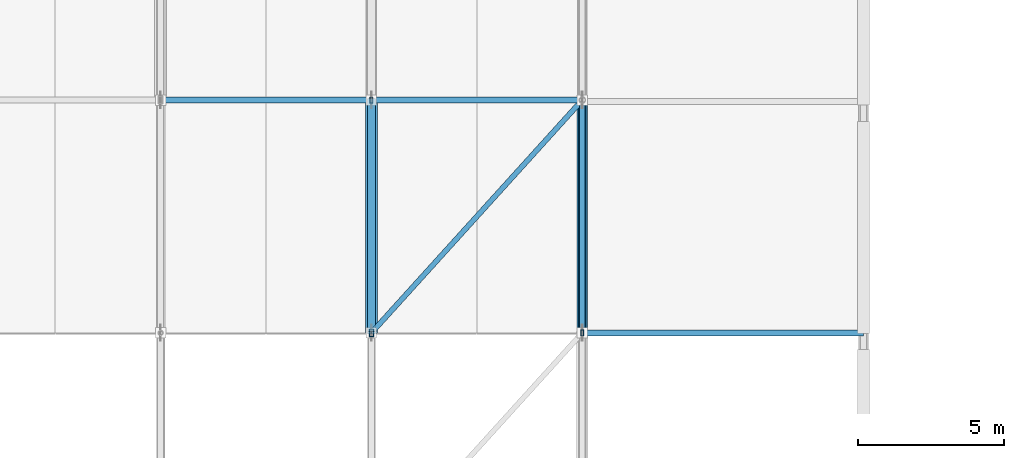
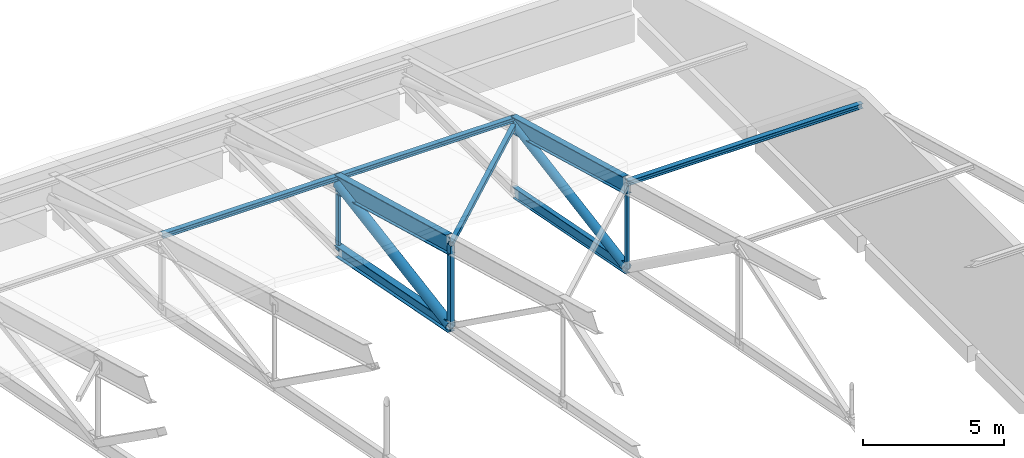
# One storey, part 23 of 53: 9 members, 4 beams.
"""IFC4 building model written with IfcOpenShell, lengths in metres."""

from ifc_helpers import new_model, si_unit, direction, frame, origin, origin_2d, place, context, subcontext, project, spatial, hollow_rectangle, hollow_circle, i_section, extrude, material, material_profile, profile_set, type_object, element, save


model = new_model("IFC4")

# Units and contexts
model_context = context("Model", 3, precision=1e-05, world=origin(), true_north=direction((0.0, 1.0)))
body_context = subcontext(model_context, "Body", "Model", "MODEL_VIEW")
ifc_project = project(units=[si_unit("LENGTHUNIT", "METRE"), si_unit("AREAUNIT", "SQUARE_METRE"), si_unit("VOLUMEUNIT", "CUBIC_METRE"), si_unit("PLANEANGLEUNIT", "RADIAN"), si_unit("MASSUNIT", "GRAM", prefix="KILO")], contexts=[model_context])

# Site, building, storey
site_placement = place(None, origin())
site = spatial("IfcSite", under=ifc_project, at=site_placement, CompositionType="ELEMENT")
building_placement = place(site_placement, origin())
building = spatial("IfcBuilding", under=site, at=building_placement, Name="Pellamere Symphony Hall", CompositionType="ELEMENT")
storey_placement = place(building_placement, frame((0.0, 0.0, 24.0)))
storey = spatial("IfcBuildingStorey", under=building, at=storey_placement, Name="L05", CompositionType="ELEMENT", Elevation=24.0)

# Beams
ifc_material = material(Name="Steel CSA G40.21 350W", Category="steel")
ifc_material_profile_1 = material_profile(ifc_material, i_section(OverallWidth=0.26806640625, OverallDepth=0.77001953125, WebThickness=0.015625, FlangeThickness=0.025390625, at=origin_2d()), Name="W760X196")
ifc_profile_set_1 = profile_set([ifc_material_profile_1], Name="Steel CSA G40.21 350W")
beam_type_1 = type_object("IfcBeamType", Name="Steel Beam SB-06 W760X196", PredefinedType="BEAM", material=ifc_profile_set_1)
beam_1_placement = place(storey_placement, frame((102.0, 77.699951171875, 5.22998046875), z_axis=(0.0, 0.964090435702, -0.265574154969), x_axis=(-1.0, 0.0, 0.0)))
element("IfcBeam", 1, at=beam_1_placement, inside=storey, type_object=beam_type_1, Name="Roof Truss TR-07 Top Chord 7", PredefinedType="BEAM", context=body_context, shape_type="SweptSolid", body=[
    extrude(i_section(OverallWidth=0.26806640625, OverallDepth=0.77001953125, WebThickness=0.015625, FlangeThickness=0.025390625, at=origin_2d()), origin(), (0.0, 0.0, 1.0), 8.24609375),
])
ifc_material_profile_2 = material_profile(ifc_material, i_section(OverallWidth=0.25390625, OverallDepth=0.68798828125, WebThickness=0.01318359375, FlangeThickness=0.02099609375, at=origin_2d()), Name="W690X152")
ifc_profile_set_2 = profile_set([ifc_material_profile_2], Name="Steel CSA G40.21 350W")
beam_type_2 = type_object("IfcBeamType", Name="Steel Beam SB-08 W690X152", PredefinedType="BEAM", material=ifc_profile_set_2)
beam_2_placement = place(storey_placement, frame((109.199951171875, 77.699951171875, 5.27099609375), z_axis=(0.0, 0.964090435702, -0.265574154969), x_axis=(-1.0, 0.0, 0.0)))
element("IfcBeam", 2, at=beam_2_placement, inside=storey, type_object=beam_type_2, Name="Roof Truss TR-08 Top Chord 7", PredefinedType="BEAM", context=body_context, shape_type="SweptSolid", body=[
    extrude(i_section(OverallWidth=0.25390625, OverallDepth=0.68798828125, WebThickness=0.01318359375, FlangeThickness=0.02099609375, at=origin_2d()), origin(), (0.0, 0.0, 1.0), 8.24609375),
])
ifc_material_profile_3 = material_profile(ifc_material, i_section(OverallWidth=0.282958984375, OverallDepth=0.471923828125, WebThickness=0.013671875, FlangeThickness=0.022216796875, at=origin_2d()), Name="W460X144")
ifc_profile_set_3 = profile_set([ifc_material_profile_3], Name="Steel CSA G40.21 350W")
beam_type_3 = type_object("IfcBeamType", Name="Steel Beam SB-15 W460X144", PredefinedType="BEAM", material=ifc_profile_set_3)
beam_3_placement = place(storey_placement, frame((102.0, 77.699951171875, 1.706787109375), z_axis=(0.0, 0.981591064498, -0.19099471746), x_axis=(-1.0, 0.0, 0.0)))
element("IfcBeam", 3, at=beam_3_placement, inside=storey, type_object=beam_type_3, Name="Roof Truss TR-07 Bottom Chord 7", PredefinedType="BEAM", context=body_context, shape_type="SweptSolid", body=[
    extrude(i_section(OverallWidth=0.282958984375, OverallDepth=0.471923828125, WebThickness=0.013671875, FlangeThickness=0.022216796875, at=origin_2d()), origin(), (0.0, 0.0, 1.0), 8.09912109375),
])
ifc_material_profile_4 = material_profile(ifc_material, i_section(OverallWidth=0.194091796875, OverallDepth=0.468994140625, WebThickness=0.011474609375, FlangeThickness=0.019287109375, at=origin_2d()), Name="W460X106")
ifc_profile_set_4 = profile_set([ifc_material_profile_4], Name="Steel CSA G40.21 350W")
beam_type_4 = type_object("IfcBeamType", Name="Steel Beam SB-16 W460X106", PredefinedType="BEAM", material=ifc_profile_set_4)
beam_4_placement = place(storey_placement, frame((109.199951171875, 77.699951171875, 1.706787109375), z_axis=(0.0, 0.981591064498, -0.19099471746), x_axis=(-1.0, 0.0, 0.0)))
element("IfcBeam", 4, at=beam_4_placement, inside=storey, type_object=beam_type_4, Name="Roof Truss TR-08 Bottom Chord 7", PredefinedType="BEAM", context=body_context, shape_type="SweptSolid", body=[
    extrude(i_section(OverallWidth=0.194091796875, OverallDepth=0.468994140625, WebThickness=0.011474609375, FlangeThickness=0.019287109375, at=origin_2d()), origin(), (0.0, 0.0, 1.0), 8.09912109375),
])

# Members
ifc_material_profile_5 = material_profile(ifc_material, hollow_rectangle(XDim=0.177734375, YDim=0.177734375, WallThickness=0.009521484375, at=origin_2d()), Name="HSS178X178X10")
ifc_profile_set_5 = profile_set([ifc_material_profile_5], Name="Steel CSA G40.21 350W")
member_type_1 = type_object("IfcMemberType", Name="Steel Member SM-05 HSS178X178X10", PredefinedType="BRACE", material=ifc_profile_set_5)
member_1_placement = place(storey_placement, frame((102.0, 77.699951171875, 5.22998046875), z_axis=(0.658198735355, 0.726761568593, -0.19644858664), x_axis=(-0.741204587213, 0.67127919668, 0.0)))
element("IfcMember", 5, at=member_1_placement, inside=storey, type_object=member_type_1, Name="Roof Truss Plan Wind Brace 7.6", PredefinedType="BRACE", context=body_context, shape_type="SweptSolid", body=[
    extrude(hollow_rectangle(XDim=0.177734375, YDim=0.177734375, WallThickness=0.009521484375, at=origin_2d()), origin(), (0.0, 0.0, 1.0), 10.93896484375),
])
ifc_material_profile_6 = material_profile(ifc_material, hollow_rectangle(XDim=0.15234375, YDim=0.25390625, WallThickness=0.010986328125, at=origin_2d()), Name="HSS254X152X11")
ifc_profile_set_6 = profile_set([ifc_material_profile_6], Name="Steel CSA G40.21 350W")
member_type_2 = type_object("IfcMemberType", Name="Steel Member SM-07 HSS254X152X11", PredefinedType="STRUT", material=ifc_profile_set_6)
member_2_placement = place(storey_placement, frame((102.0, 77.699951171875, 1.706787109375), z_axis=(0.0, 0.0, 1.0), x_axis=(1.0, 0.0, 0.0)))
element("IfcMember", 6, at=member_2_placement, inside=storey, type_object=member_type_2, Name="Roof Truss TR-07 Vertical Post 6", PredefinedType="STRUT", context=body_context, shape_type="SweptSolid", body=[
    extrude(hollow_rectangle(XDim=0.15234375, YDim=0.25390625, WallThickness=0.010986328125, at=origin_2d()), origin(), (0.0, 0.0, 1.0), 3.523193359375),
])
ifc_material_profile_7 = material_profile(ifc_material, hollow_rectangle(XDim=0.1015625, YDim=0.203125, WallThickness=0.009521484375, at=origin_2d()), Name="HSS203X102X10")
ifc_profile_set_7 = profile_set([ifc_material_profile_7], Name="Steel CSA G40.21 350W")
member_type_3 = type_object("IfcMemberType", Name="Steel Member SM-08 HSS203X102X10", PredefinedType="STRUT", material=ifc_profile_set_7)
member_3_placement = place(storey_placement, frame((102.0, 85.64990234375, 0.159912109375), z_axis=(0.0, 0.0, 1.0), x_axis=(1.0, 0.0, 0.0)))
element("IfcMember", 7, at=member_3_placement, inside=storey, type_object=member_type_3, Name="Roof Truss TR-07 Vertical Post 7", PredefinedType="STRUT", context=body_context, shape_type="SweptSolid", body=[
    extrude(hollow_rectangle(XDim=0.1015625, YDim=0.203125, WallThickness=0.009521484375, at=origin_2d()), origin(), (0.0, 0.0, 1.0), 2.880126953125),
])
member_4_placement = place(storey_placement, frame((109.199951171875, 77.699951171875, 1.706787109375), z_axis=(0.0, 0.0, 1.0), x_axis=(1.0, 0.0, 0.0)))
element("IfcMember", 8, at=member_4_placement, inside=storey, type_object=member_type_3, Name="Roof Truss TR-08 Vertical Post 6", PredefinedType="STRUT", context=body_context, shape_type="SweptSolid", body=[
    extrude(hollow_rectangle(XDim=0.1015625, YDim=0.203125, WallThickness=0.009521484375, at=origin_2d()), origin(), (0.0, 0.0, 1.0), 3.564208984375),
])
ifc_material_profile_8 = material_profile(ifc_material, hollow_circle(Radius=0.203125, WallThickness=0.0126953125, at=origin_2d()), Name="HSS406X13")
ifc_profile_set_8 = profile_set([ifc_material_profile_8], Name="Steel CSA G40.21 350W")
member_type_4 = type_object("IfcMemberType", Name="Steel Member SM-09 HSS406X13", PredefinedType="STRUT", material=ifc_profile_set_8)
member_5_placement = place(storey_placement, frame((102.0, 77.699951171875, 1.706787109375), z_axis=(0.0, 0.986227252152, 0.165395910205), x_axis=(-1.0, 0.0, 0.0)))
element("IfcMember", 9, at=member_5_placement, inside=storey, type_object=member_type_4, Name="Roof Truss TR-07 Web Diagonal 7", PredefinedType="STRUT", context=body_context, shape_type="SweptSolid", body=[
    extrude(hollow_circle(Radius=0.203125, WallThickness=0.0126953125, at=origin_2d()), origin(), (0.0, 0.0, 1.0), 8.06103515625),
])
ifc_material_profile_9 = material_profile(ifc_material, hollow_circle(Radius=0.177734375, WallThickness=0.0126953125, at=origin_2d()), Name="HSS356X13")
ifc_profile_set_9 = profile_set([ifc_material_profile_9], Name="Steel CSA G40.21 350W")
member_type_5 = type_object("IfcMemberType", Name="Steel Member SM-10 HSS356X13", PredefinedType="STRUT", material=ifc_profile_set_9)
member_6_placement = place(storey_placement, frame((109.199951171875, 77.699951171875, 1.706787109375), z_axis=(0.0, 0.985385591964, 0.170338589724), x_axis=(-1.0, 0.0, 0.0)))
element("IfcMember", 10, at=member_6_placement, inside=storey, type_object=member_type_5, Name="Roof Truss TR-08 Web Diagonal 7", PredefinedType="STRUT", context=body_context, shape_type="SweptSolid", body=[
    extrude(hollow_circle(Radius=0.177734375, WallThickness=0.0126953125, at=origin_2d()), origin(), (0.0, 0.0, 1.0), 8.06787109375),
])
ifc_material_profile_10 = material_profile(ifc_material, i_section(OverallWidth=0.2041015625, OverallDepth=0.2060546875, WebThickness=0.0078125, FlangeThickness=0.0126953125, at=origin_2d()), Name="W200X52")
ifc_profile_set_10 = profile_set([ifc_material_profile_10], Name="Steel CSA G40.21 350W")
member_type_6 = type_object("IfcMemberType", Name="Steel Member SM-15 W200X52", PredefinedType="PURLIN", material=ifc_profile_set_10)
for number, where, z_axis, x_axis, name in (
    (11, (94.800048828125, 85.64990234375, 3.322021484375), (1.0, 0.0, 0.0), (0.0, 1.0, 0.0), "Folded Roof Purlin 6.7"),
    (12, (102.0, 85.64990234375, 3.322021484375), (1.0, 0.0, 0.0), (0.0, 1.0, 0.0), "Folded Roof Purlin 7.7"),
):
    element("IfcMember", number, at=place(storey_placement, frame(where, z_axis=z_axis, x_axis=x_axis)), inside=storey, type_object=member_type_6, Name=name, PredefinedType="PURLIN", context=body_context, shape_type="SweptSolid", body=[
        extrude(i_section(OverallWidth=0.2041015625, OverallDepth=0.2060546875, WebThickness=0.0078125, FlangeThickness=0.0126953125, at=origin_2d()), origin(), (0.0, 0.0, 1.0), 7.199951171875),
    ])
member_7_placement = place(storey_placement, frame((109.199951171875, 77.699951171875, 5.3798828125), z_axis=(1.0, 0.0, 0.0), x_axis=(0.0, 1.0, 0.0)))
element("IfcMember", 13, at=member_7_placement, inside=storey, type_object=member_type_6, Name="Crystal Foyer Roof Purlin E.6", PredefinedType="PURLIN", context=body_context, shape_type="SweptSolid", body=[
    extrude(i_section(OverallWidth=0.2041015625, OverallDepth=0.2060546875, WebThickness=0.0078125, FlangeThickness=0.0126953125, at=origin_2d()), origin(), (0.0, 0.0, 1.0), 9.60009765625),
])

save(model, "model.ifc")
